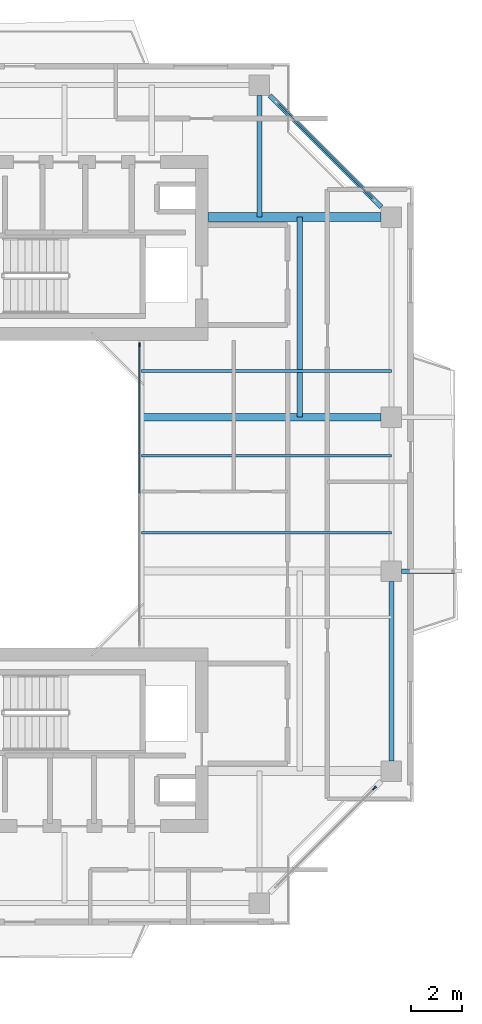
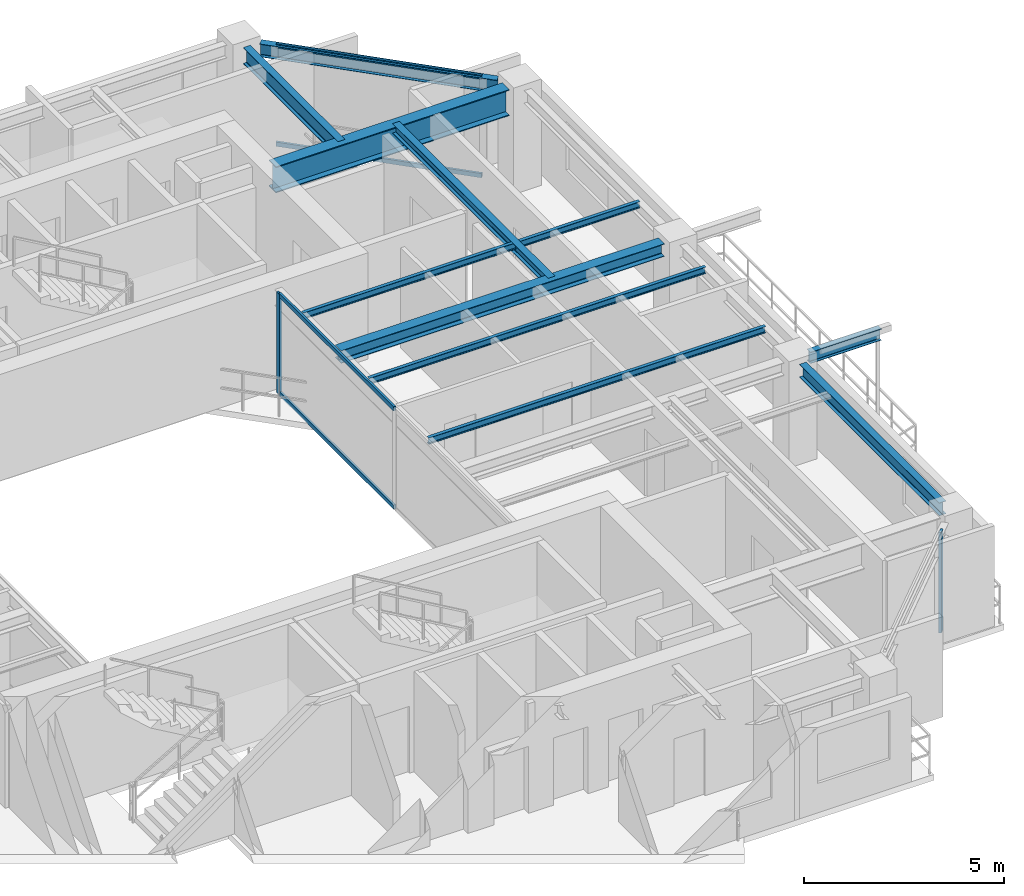
# One storey, part 5 of 15: 10 beams, 6 members, 3 elements without a shape of their own.
"""IFC4 building model written with IfcOpenShell, lengths in metres."""

from ifc_helpers import new_model, si_unit, direction, frame, origin, origin_2d, place, context, subcontext, project, spatial, rectangle, i_section, extrude, source, transform, mapped, material, layer, layer_set, material_profile, profile_set, type_object, element, aggregate, save


model = new_model("IFC4")

# Units and contexts
model_context = context("Model", 3, precision=1e-05, world=origin(), true_north=direction((0.0, 1.0)))
body_context = subcontext(model_context, "Body", "Model", "MODEL_VIEW")
ifc_project = project(units=[si_unit("LENGTHUNIT", "METRE"), si_unit("AREAUNIT", "SQUARE_METRE"), si_unit("VOLUMEUNIT", "CUBIC_METRE"), si_unit("PLANEANGLEUNIT", "RADIAN"), si_unit("MASSUNIT", "GRAM", prefix="KILO"), si_unit("THERMODYNAMICTEMPERATUREUNIT", "KELVIN"), si_unit("POWERUNIT", "WATT")], contexts=[model_context])

# Site, building, storey
site_placement = place(None, origin())
site = spatial("IfcSite", under=ifc_project, at=site_placement, CompositionType="ELEMENT")
building_placement = place(site_placement, origin())
building = spatial("IfcBuilding", under=site, at=building_placement, Name="Qiaomeng Ring Towers", CompositionType="ELEMENT")
storey_placement = place(building_placement, frame((0.0, 0.0, 193.75)))
storey = spatial("IfcBuildingStorey", under=building, at=storey_placement, Name="L56", CompositionType="ELEMENT", Elevation=193.75)

# Beams
ifc_material_1 = material(Name="Steel Q355B", Category="steel")
ifc_material_profile_1 = material_profile(ifc_material_1, i_section(OverallWidth=0.198974609375, OverallDepth=0.39599609375, WebThickness=0.007080078125, FlangeThickness=0.010986328125, FilletRadius=0.01611328125, at=origin_2d()), Name="HN 396x199x7x11")
ifc_profile_set_1 = profile_set([ifc_material_profile_1], Name="Steel Q355B")
beam_type_1 = type_object("IfcBeamType", Name="STR-BM-HN396", PredefinedType="SPANDREL", material=ifc_profile_set_1)
shared_shape_1 = source(origin(), body_context, "Body", "SweptSolid", [
    extrude(i_section(OverallWidth=0.198974609375, OverallDepth=0.39599609375, WebThickness=0.007080078125, FlangeThickness=0.010986328125, FilletRadius=0.01611328125, at=origin_2d()), origin(), (0.0, 0.0, 1.0), 6.154052734375),
])
beam_1_placement = place(storey_placement, frame((34.55078125, 34.19921875, 2.8720703125), z_axis=(-0.707106781187, 0.707106781187, 0.0), x_axis=(-0.707106781187, -0.707106781187, 0.0)))
element("IfcBeam", 1, at=beam_1_placement, inside=storey, type_object=beam_type_1, Name="L56 beam STR-SP-L56-T1-E4-N2", PredefinedType="SPANDREL", context=body_context, shape_type="MappedRepresentation", body=[
    mapped(shared_shape_1, transform((0.0, 0.0, 0.0), x_axis=(1.0, 0.0, 0.0), y_axis=(0.0, 1.0, 0.0), z_axis=(0.0, 0.0, 1.0), scale=1.0)),
])
shared_shape_2 = source(origin(), body_context, "Body", "SweptSolid", [
    extrude(i_section(OverallWidth=0.198974609375, OverallDepth=0.39599609375, WebThickness=0.007080078125, FlangeThickness=0.010986328125, FilletRadius=0.01611328125, at=origin_2d()), origin(), (0.0, 0.0, 1.0), 7.001953125),
])
beam_2_placement = place(storey_placement, frame((34.949951171875, 12.59912109375, 2.8720703125), z_axis=(0.0, 1.0, 0.0), x_axis=(-1.0, 0.0, 0.0)))
element("IfcBeam", 2, at=beam_2_placement, inside=storey, type_object=beam_type_1, Name="L56 beam STR-SP-L56-T1-E1-E2", PredefinedType="SPANDREL", context=body_context, shape_type="MappedRepresentation", body=[
    mapped(shared_shape_2, transform((0.0, 0.0, 0.0), x_axis=(1.0, 0.0, 0.0), y_axis=(0.0, 1.0, 0.0), z_axis=(0.0, 0.0, 1.0), scale=1.0)),
])
ifc_material_2 = material(Name="Steel Q390GJC", Category="steel")
ifc_material_profile_2 = material_profile(ifc_material_2, i_section(OverallWidth=0.35009765625, OverallDepth=0.800048828125, WebThickness=0.01611328125, FlangeThickness=0.028076171875, at=origin_2d()), Name="WH 800x350x16x28")
ifc_profile_set_2 = profile_set([ifc_material_profile_2], Name="Steel Q390GJC")
beam_type_2 = type_object("IfcBeamType", Name="STR-BM-WH800", PredefinedType="BEAM", material=ifc_profile_set_2)
shared_shape_3 = source(origin(), body_context, "Body", "SweptSolid", [
    extrude(i_section(OverallWidth=0.35009765625, OverallDepth=0.800048828125, WebThickness=0.01611328125, FlangeThickness=0.028076171875, at=origin_2d()), origin(), (0.0, 0.0, 1.0), 6.7509765625),
])
beam_3_placement = place(storey_placement, frame((27.800048828125, 33.800048828125, 2.669921875), z_axis=(1.0, 0.0, 0.0), x_axis=(0.0, 1.0, 0.0)))
element("IfcBeam", 3, at=beam_3_placement, inside=storey, type_object=beam_type_2, Name="L56 beam STR-BM-L56-T1-RAD-E4", PredefinedType="BEAM", context=body_context, shape_type="MappedRepresentation", body=[
    mapped(shared_shape_3, transform((0.0, 0.0, 0.0), x_axis=(1.0, 0.0, 0.0), y_axis=(0.0, 1.0, 0.0), z_axis=(0.0, 0.0, 1.0), scale=1.0)),
])
ifc_material_profile_3 = material_profile(ifc_material_1, i_section(OverallWidth=0.199951171875, OverallDepth=0.5, WebThickness=0.010009765625, FlangeThickness=0.01611328125, FilletRadius=0.02001953125, at=origin_2d()), Name="HN 500x200x10x16")
ifc_profile_set_3 = profile_set([ifc_material_profile_3], Name="Steel Q355B")
beam_type_3 = type_object("IfcBeamType", Name="STR-BM-HN500", PredefinedType="BEAM", material=ifc_profile_set_3)
shared_shape_4 = source(origin(), body_context, "Body", "SweptSolid", [
    extrude(i_section(OverallWidth=0.199951171875, OverallDepth=0.5, WebThickness=0.010009765625, FlangeThickness=0.01611328125, FilletRadius=0.02001953125, at=origin_2d()), origin(), (0.0, 0.0, 1.0), 4.7509765625),
])
beam_4_placement = place(storey_placement, frame((29.800048828125, 38.551025390625, 2.820068359375), z_axis=(0.0, -1.0, 0.0), x_axis=(1.0, 0.0, 0.0)))
element("IfcBeam", 4, at=beam_4_placement, inside=storey, type_object=beam_type_3, Name="L56 beam STR-BM-L56-T1-RAD-N2", PredefinedType="BEAM", context=body_context, shape_type="MappedRepresentation", body=[
    mapped(shared_shape_4, transform((0.0, 0.0, 0.0), x_axis=(1.0, 0.0, 0.0), y_axis=(0.0, 1.0, 0.0), z_axis=(0.0, 0.0, 1.0), scale=1.0)),
])
ifc_material_profile_4 = material_profile(ifc_material_1, i_section(OverallWidth=0.300048828125, OverallDepth=0.389892578125, WebThickness=0.010009765625, FlangeThickness=0.01611328125, FilletRadius=0.02197265625, at=origin_2d()), Name="HM 390x300x10x16")
ifc_profile_set_4 = profile_set([ifc_material_profile_4], Name="Steel Q355B")
beam_type_4 = type_object("IfcBeamType", Name="STR-BM-HM390", PredefinedType="BEAM", material=ifc_profile_set_4)
shared_shape_5 = source(origin(), body_context, "Body", "SweptSolid", [
    extrude(i_section(OverallWidth=0.300048828125, OverallDepth=0.389892578125, WebThickness=0.010009765625, FlangeThickness=0.01611328125, FilletRadius=0.02197265625, at=origin_2d()), origin(), (0.0, 0.0, 1.0), 9.35107421875),
])
beam_5_placement = place(storey_placement, frame((25.199951171875, 26.0, 2.875), z_axis=(1.0, 0.0, 0.0), x_axis=(0.0, 1.0, 0.0)))
element("IfcBeam", 5, at=beam_5_placement, inside=storey, type_object=beam_type_4, Name="L56 beam STR-BM-L56-T1-RAD-E3", PredefinedType="BEAM", context=body_context, shape_type="MappedRepresentation", body=[
    mapped(shared_shape_5, transform((0.0, 0.0, 0.0), x_axis=(1.0, 0.0, 0.0), y_axis=(0.0, 1.0, 0.0), z_axis=(0.0, 0.0, 1.0), scale=1.0)),
])
ifc_material_profile_5 = material_profile(ifc_material_1, i_section(OverallWidth=0.175048828125, OverallDepth=0.35009765625, WebThickness=0.007080078125, FlangeThickness=0.010986328125, FilletRadius=0.013916015625, at=origin_2d()), Name="HN 350x175x7x11")
ifc_profile_set_5 = profile_set([ifc_material_profile_5], Name="Steel Q355B")
beam_type_5 = type_object("IfcBeamType", Name="STR-BM-HN350", PredefinedType="JOIST", material=ifc_profile_set_5)
shared_shape_6 = source(origin(), body_context, "Body", "SweptSolid", [
    extrude(i_section(OverallWidth=0.175048828125, OverallDepth=0.35009765625, WebThickness=0.007080078125, FlangeThickness=0.010986328125, FilletRadius=0.013916015625, at=origin_2d()), origin(), (0.0, 0.0, 1.0), 2.05078125),
])
beam_6_placement = place(storey_placement, frame((35.34912109375, 20.0, 2.89501953125), z_axis=(1.0, 0.0, 0.0), x_axis=(0.0, 1.0, 0.0)))
element("IfcBeam", 6, at=beam_6_placement, inside=storey, type_object=beam_type_5, Name="L56 beam STR-BALBM-L56-E2", PredefinedType="JOIST", context=body_context, shape_type="MappedRepresentation", body=[
    mapped(shared_shape_6, transform((0.0, 0.0, 0.0), x_axis=(1.0, 0.0, 0.0), y_axis=(0.0, 1.0, 0.0), z_axis=(0.0, 0.0, 1.0), scale=1.0)),
])
ifc_material_profile_6 = material_profile(ifc_material_1, i_section(OverallWidth=0.10009765625, OverallDepth=0.199951171875, WebThickness=0.005615234375, FlangeThickness=0.008056640625, FilletRadius=0.010986328125, at=origin_2d()), Name="HN 200x100x5.5x8")
ifc_profile_set_6 = profile_set([ifc_material_profile_6], Name="Steel Q355B")
beam_type_6 = type_object("IfcBeamType", Name="STR-BM-HN200", PredefinedType="JOIST", material=ifc_profile_set_6)
shared_shape_7 = source(origin(), body_context, "Body", "SweptSolid", [
    extrude(i_section(OverallWidth=0.10009765625, OverallDepth=0.199951171875, WebThickness=0.005615234375, FlangeThickness=0.008056640625, FilletRadius=0.010986328125, at=origin_2d()), origin(), (0.0, 0.0, 1.0), 9.75),
])
for number, where, z_axis, x_axis, name in (
    (7, (25.199951171875, 21.5, 2.969970703125), (1.0, 0.0, 0.0), (0.0, 1.0, 0.0), "L56 beam STR-JST-L56-T1E-2"),
    (8, (25.199951171875, 24.5, 2.969970703125), (1.0, 0.0, 0.0), (0.0, 1.0, 0.0), "L56 beam STR-JST-L56-T1E-3"),
    (9, (25.199951171875, 27.800048828125, 2.969970703125), (1.0, 0.0, 0.0), (0.0, 1.0, 0.0), "L56 beam STR-JST-L56-T1E-4"),
):
    element("IfcBeam", number, at=place(storey_placement, frame(where, z_axis=z_axis, x_axis=x_axis)), inside=storey, type_object=beam_type_6, Name=name, PredefinedType="JOIST", context=body_context, shape_type="MappedRepresentation", body=[
        mapped(shared_shape_7, transform((0.0, 0.0, 0.0), x_axis=(1.0, 0.0, 0.0), y_axis=(0.0, 1.0, 0.0), z_axis=(0.0, 0.0, 1.0), scale=1.0)),
    ])
ifc_material_profile_7 = material_profile(ifc_material_1, i_section(OverallWidth=0.199951171875, OverallDepth=0.2939453125, WebThickness=0.008056640625, FlangeThickness=0.011962890625, FilletRadius=0.01806640625, at=origin_2d()), Name="HM 294x200x8x12")
ifc_profile_set_7 = profile_set([ifc_material_profile_7], Name="Steel Q355B")
beam_type_7 = type_object("IfcBeamType", Name="STR-BM-HM294", PredefinedType="JOIST", material=ifc_profile_set_7)
shared_shape_8 = source(origin(), body_context, "Body", "SweptSolid", [
    extrude(i_section(OverallWidth=0.199951171875, OverallDepth=0.2939453125, WebThickness=0.008056640625, FlangeThickness=0.011962890625, FilletRadius=0.01806640625, at=origin_2d()), origin(), (0.0, 0.0, 1.0), 7.800048828125),
])
beam_7_placement = place(storey_placement, frame((31.375, 26.0, 2.923095703125), z_axis=(0.0, 1.0, 0.0), x_axis=(-1.0, 0.0, 0.0)))
element("IfcBeam", 10, at=beam_7_placement, inside=storey, type_object=beam_type_7, Name="L56 beam STR-JST-L56-T1C-EN", PredefinedType="JOIST", context=body_context, shape_type="MappedRepresentation", body=[
    mapped(shared_shape_8, transform((0.0, 0.0, 0.0), x_axis=(1.0, 0.0, 0.0), y_axis=(0.0, 1.0, 0.0), z_axis=(0.0, 0.0, 1.0), scale=1.0)),
])

# Curtain wall, members
ifc_material_3 = material(Name="Fluorocarbon dark-grey aluminium", Category="aluminium")
ifc_layer_1 = layer(ifc_material_3, 0.139892578125, Name="Fluorocarbon dark-grey aluminium")
ifc_layer_set_1 = layer_set([ifc_layer_1], Name="Fluorocarbon dark-grey aluminium")
curtain_wall_type_1 = type_object("IfcCurtainWallType", Name="ARC-CW-4", PredefinedType="NOTDEFINED", material=ifc_layer_set_1)
curtain_wall_1_placement = place(storey_placement, origin())
curtain_wall_1 = element("IfcCurtainWall", 11, at=curtain_wall_1_placement, inside=storey, type_object=curtain_wall_type_1, Name="L56 Curtain Wall CW4", PredefinedType="NOTDEFINED")
ifc_material_profile_8 = material_profile(ifc_material_3, rectangle(XDim=0.06494140625, YDim=0.159912109375, at=origin_2d()), Name="ALU MULL 65x160")
ifc_profile_set_8 = profile_set([ifc_material_profile_8], Name="Fluorocarbon dark-grey aluminium")
member_type_1 = type_object("IfcMemberType", Name="ARC-CWM-140", PredefinedType="MULLION", material=ifc_profile_set_8)
shared_shape_9 = source(origin(), body_context, "Body", "SweptSolid", [
    extrude(rectangle(XDim=0.06494140625, YDim=0.159912109375, at=origin_2d()), origin(), (0.0, 0.0, 1.0), 3.070068359375),
])
member_1_placement = place(storey_placement, frame((25.1201171875, 28.8173828125, 0.0), z_axis=(0.0, 0.0, 1.0), x_axis=(-1.0, 0.0, 0.0)))
member_1 = element("IfcMember", 12, at=member_1_placement, type_object=member_type_1, Name="CW4 mullion 3", PredefinedType="MULLION", context=body_context, shape_type="MappedRepresentation", body=[
    mapped(shared_shape_9, transform((0.0, 0.0, 0.0), x_axis=(1.0, 0.0, 0.0), y_axis=(0.0, 1.0, 0.0), z_axis=(0.0, 0.0, 1.0), scale=1.0)),
])
ifc_material_profile_9 = material_profile(ifc_material_3, rectangle(XDim=0.06494140625, YDim=0.1298828125, at=origin_2d()), Name="ALU TRAN 65x130")
ifc_profile_set_9 = profile_set([ifc_material_profile_9], Name="Fluorocarbon dark-grey aluminium")
member_type_2 = type_object("IfcMemberType", Name="ARC-CWT-120", PredefinedType="USERDEFINED", material=ifc_profile_set_9)
shared_shape_10 = source(origin(), body_context, "Body", "SweptSolid", [
    extrude(rectangle(XDim=0.06494140625, YDim=0.1298828125, at=origin_2d()), origin(), (0.0, 0.0, 1.0), 5.75244140625),
])
member_2_placement = place(storey_placement, frame((25.1201171875, 23.032470703125, 0.032470703125), z_axis=(0.0, 1.0, 0.0), x_axis=(-1.0, 0.0, 0.0)))
member_2 = element("IfcMember", 13, at=member_2_placement, type_object=member_type_2, Name="CW4 transom 2.1", ObjectType="TRANSOM", PredefinedType="USERDEFINED", context=body_context, shape_type="MappedRepresentation", body=[
    mapped(shared_shape_10, transform((0.0, 0.0, 0.0), x_axis=(1.0, 0.0, 0.0), y_axis=(0.0, 1.0, 0.0), z_axis=(0.0, 0.0, 1.0), scale=1.0)),
])
member_3_placement = place(storey_placement, frame((25.1201171875, 23.032470703125, 3.03759765625), z_axis=(0.0, 1.0, 0.0), x_axis=(-1.0, 0.0, 0.0)))
member_3 = element("IfcMember", 14, at=member_3_placement, type_object=member_type_2, Name="CW4 transom 2.2", ObjectType="TRANSOM", PredefinedType="USERDEFINED", context=body_context, shape_type="MappedRepresentation", body=[
    mapped(shared_shape_10, transform((0.0, 0.0, 0.0), x_axis=(1.0, 0.0, 0.0), y_axis=(0.0, 1.0, 0.0), z_axis=(0.0, 0.0, 1.0), scale=1.0)),
])
aggregate(curtain_wall_1, [member_1, member_2, member_3])

# Curtain wall, member
ifc_layer_2 = layer(ifc_material_3, 0.14990234375, Name="Fluorocarbon dark-grey aluminium")
ifc_layer_set_2 = layer_set([ifc_layer_2], Name="Fluorocarbon dark-grey aluminium")
curtain_wall_type_2 = type_object("IfcCurtainWallType", Name="ARC-CW-3", PredefinedType="NOTDEFINED", material=ifc_layer_set_2)
curtain_wall_2_placement = place(storey_placement, origin())
curtain_wall_2 = element("IfcCurtainWall", 15, at=curtain_wall_2_placement, inside=storey, type_object=curtain_wall_type_2, Name="L56 Curtain Wall CW3", PredefinedType="NOTDEFINED")
ifc_material_profile_10 = material_profile(ifc_material_3, rectangle(XDim=0.070068359375, YDim=0.179931640625, at=origin_2d()), Name="ALU MULL 70x180")
ifc_profile_set_10 = profile_set([ifc_material_profile_10], Name="Fluorocarbon dark-grey aluminium")
member_type_3 = type_object("IfcMemberType", Name="ARC-CWM-160", PredefinedType="MULLION", material=ifc_profile_set_10)
shared_shape_11 = source(origin(), body_context, "Body", "SweptSolid", [
    extrude(rectangle(XDim=0.070068359375, YDim=0.179931640625, at=origin_2d()), origin(), (0.0, 0.0, 1.0), 3.070068359375),
])
member_4_placement = place(storey_placement, frame((34.28515625, 11.53515625, 0.0), z_axis=(0.0, 0.0, 1.0), x_axis=(-0.707106781187, 0.707106781187, 0.0)))
member_4 = element("IfcMember", 16, at=member_4_placement, type_object=member_type_3, Name="CW3 mullion 2", PredefinedType="MULLION", context=body_context, shape_type="MappedRepresentation", body=[
    mapped(shared_shape_11, transform((0.0, 0.0, 0.0), x_axis=(1.0, 0.0, 0.0), y_axis=(0.0, 1.0, 0.0), z_axis=(0.0, 0.0, 1.0), scale=1.0)),
])
aggregate(curtain_wall_2, [member_4])

# Curtain wall, members
curtain_wall_3_placement = place(storey_placement, origin())
curtain_wall_3 = element("IfcCurtainWall", 17, at=curtain_wall_3_placement, inside=storey, type_object=curtain_wall_type_2, Name="L56 Curtain Wall CW3", PredefinedType="NOTDEFINED")
shared_shape_12 = source(origin(), body_context, "Body", "SweptSolid", [
    extrude(rectangle(XDim=0.06494140625, YDim=0.1298828125, at=origin_2d()), origin(), (0.0, 0.0, 1.0), 5.3330078125),
])
member_5_placement = place(storey_placement, frame((34.260498046875, 34.489501953125, 0.032470703125), z_axis=(-0.707106781187, 0.707106781187, 0.0), x_axis=(-0.707106781187, -0.707106781187, 0.0)))
member_5 = element("IfcMember", 18, at=member_5_placement, type_object=member_type_2, Name="CW3 transom 1.1", ObjectType="TRANSOM", PredefinedType="USERDEFINED", context=body_context, shape_type="MappedRepresentation", body=[
    mapped(shared_shape_12, transform((0.0, 0.0, 0.0), x_axis=(1.0, 0.0, 0.0), y_axis=(0.0, 1.0, 0.0), z_axis=(0.0, 0.0, 1.0), scale=1.0)),
])
member_6_placement = place(storey_placement, frame((34.260498046875, 34.489501953125, 3.03759765625), z_axis=(-0.707106781187, 0.707106781187, 0.0), x_axis=(-0.707106781187, -0.707106781187, 0.0)))
member_6 = element("IfcMember", 19, at=member_6_placement, type_object=member_type_2, Name="CW3 transom 1.2", ObjectType="TRANSOM", PredefinedType="USERDEFINED", context=body_context, shape_type="MappedRepresentation", body=[
    mapped(shared_shape_12, transform((0.0, 0.0, 0.0), x_axis=(1.0, 0.0, 0.0), y_axis=(0.0, 1.0, 0.0), z_axis=(0.0, 0.0, 1.0), scale=1.0)),
])
aggregate(curtain_wall_3, [member_5, member_6])

save(model, "model.ifc")
